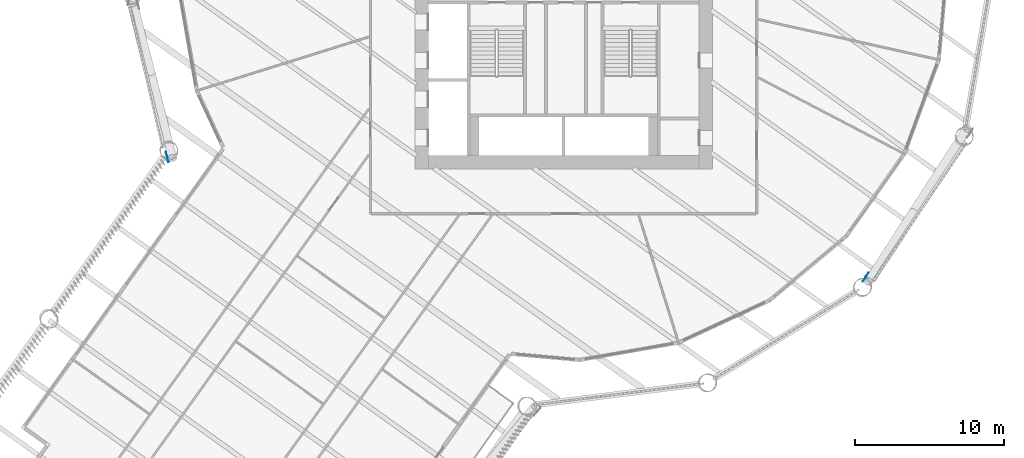
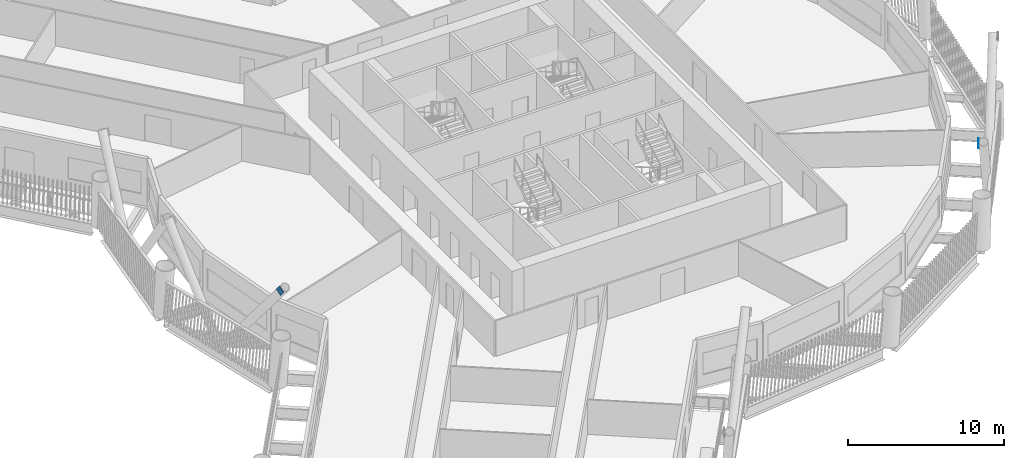
# One storey, part 9 of 21: 2 discrete accessories.
"""IFC4 building model written with IfcOpenShell, lengths in metres."""

import ifcopenshell
import ifcopenshell.guid

model = None  # the IFC model being written
_history = None  # IfcOwnerHistory: only IFC2X3 demands one
_inside = {}  # id of a spatial element -> (the spatial element, [elements in it])
_under = {}  # id of a project, library or spatial element -> (it, [spatial elements below it])
_declared = {}  # id of a project -> (the project, [libraries it declares])
_typed = {}  # id of a type object -> (the type object, [elements of that type])
_made_of = {}  # id of a material, layer set ... -> (it, [elements and type objects made of it])


def new_model(schema):
    """Start an empty IFC model of exactly this schema.

    Asked for "IFC4X3", IfcOpenShell would pick the latest addendum, in which some entities
    have other attributes; the version numbers below select the first issue.
    IFC2X3 requires an IfcOwnerHistory on every rooted entity: one is made here for all.
    """
    global model, _history
    if schema == "IFC4X3":
        model = ifcopenshell.file(schema_version=(4, 3, 0, 0))
    else:
        model = ifcopenshell.file(schema=schema)
    _inside.clear()
    _under.clear()
    _declared.clear()
    _typed.clear()
    _made_of.clear()
    _history = None
    if model.schema == "IFC2X3":
        org = make("IfcOrganization", Name="unknown")
        user = make(
            "IfcPersonAndOrganization",
            ThePerson=make("IfcPerson", FamilyName="unknown"),
            TheOrganization=org,
        )
        app = make(
            "IfcApplication",
            ApplicationDeveloper=org,
            Version="unknown",
            ApplicationFullName="unknown",
            ApplicationIdentifier="unknown",
        )
        _history = make(
            "IfcOwnerHistory",
            OwningUser=user,
            OwningApplication=app,
            ChangeAction="ADDED",
            CreationDate=0,
        )
    return model


def make(cls, **values):
    """One entity of the class cls with the attributes given. An attribute that is None is left unset."""
    return model.create_entity(
        cls, **{name: value for name, value in values.items() if value is not None}
    )


def rooted(cls, **values):
    """An entity with a GlobalId (a new one), such as an element, a storey or a relation."""
    return make(cls, GlobalId=ifcopenshell.guid.new(), OwnerHistory=_history, **values)


def si_unit(unit_type, name, prefix=None):
    """IfcSIUnit, for example si_unit("LENGTHUNIT", "METRE", prefix="MILLI")."""
    return make("IfcSIUnit", UnitType=unit_type, Prefix=prefix, Name=name)


def assignment(units):
    """IfcUnitAssignment: the units of a project."""
    return None if units is None else make("IfcUnitAssignment", Units=units)


def point(xyz):
    """IfcCartesianPoint."""
    return None if xyz is None else make("IfcCartesianPoint", Coordinates=xyz)


def direction(xyz):
    """IfcDirection."""
    return None if xyz is None else make("IfcDirection", DirectionRatios=xyz)


def frame(location, z_axis=None, x_axis=None):
    """IfcAxis2Placement3D, a coordinate frame: its origin and axes. An axis left out is left unset."""
    return make(
        "IfcAxis2Placement3D",
        Location=point(location),
        Axis=direction(z_axis),
        RefDirection=direction(x_axis),
    )


def frame_2d(location, x_axis=None):
    """IfcAxis2Placement2D, a coordinate frame in the plane: its origin and x axis."""
    return make(
        "IfcAxis2Placement2D", Location=point(location), RefDirection=direction(x_axis)
    )


def origin():
    """The frame at (0, 0, 0) with its axes left unset."""
    return frame((0.0, 0.0, 0.0))


def origin_2d():
    """The frame at (0, 0) in the plane with its x axis left unset."""
    return frame_2d((0.0, 0.0))


def place(relative_to, where):
    """IfcLocalPlacement: puts the frame where relative to a parent placement (None: the world)."""
    return make(
        "IfcLocalPlacement", PlacementRelTo=relative_to, RelativePlacement=where
    )


def context(
    kind, dimensions, precision=None, world=None, true_north=None, identifier=None
):
    """IfcGeometricRepresentationContext, for example the 3D "Model" context."""
    return make(
        "IfcGeometricRepresentationContext",
        ContextIdentifier=identifier,
        ContextType=kind,
        CoordinateSpaceDimension=dimensions,
        Precision=precision,
        WorldCoordinateSystem=world,
        TrueNorth=true_north,
    )


def subcontext(parent, identifier, kind, view, scale=None):
    """IfcGeometricRepresentationSubContext, for example "Body" below "Model"."""
    return make(
        "IfcGeometricRepresentationSubContext",
        ContextIdentifier=identifier,
        ContextType=kind,
        ParentContext=parent,
        TargetScale=scale,
        TargetView=view,
    )


def project(units=None, contexts=None):
    """IfcProject with its units and contexts."""
    return rooted(
        "IfcProject",
        Name="project",
        RepresentationContexts=contexts,
        UnitsInContext=assignment(units),
    )


def spatial(cls, under=None, at=None, **own):
    """A site, building, storey or space (cls), placed at a placement, below another one or the project."""
    s = rooted(cls, ObjectPlacement=at, **own)
    if under is not None:
        _under.setdefault(under.id(), (under, []))[1].append(s)
    return s


def profile(cls, at=None, kind="AREA", **sizes):
    """A parametric profile (cls). Its sizes go by their IFC names, for example OverallWidth=200.0."""
    return make(cls, ProfileType=kind, Position=at, **sizes)


def rectangle(**sizes):
    """IfcRectangleProfileDef."""
    return profile("IfcRectangleProfileDef", **sizes)


def extrude(swept, where, along, depth):
    """IfcExtrudedAreaSolid: the profile swept, set in the frame where, extruded along a direction by depth."""
    return make(
        "IfcExtrudedAreaSolid",
        SweptArea=swept,
        Position=where,
        ExtrudedDirection=direction(along),
        Depth=depth,
    )


def shape(context_of_items, identifier, shape_type, items):
    """IfcShapeRepresentation: the items that make up one representation, for example the "Body"."""
    return make(
        "IfcShapeRepresentation",
        ContextOfItems=context_of_items,
        RepresentationIdentifier=identifier,
        RepresentationType=shape_type,
        Items=items,
    )


def material(Name=None, Category=None):
    """IfcMaterial."""
    return make("IfcMaterial", Name=Name, Category=Category)


def material_profile(
    of_material, cross_section, Name=None, Category=None, Priority=None
):
    """IfcMaterialProfile: a cross section and its material."""
    return make(
        "IfcMaterialProfile",
        Name=Name,
        Material=of_material,
        Profile=cross_section,
        Priority=Priority,
        Category=Category,
    )


def profile_set(profiles, Name=None, composite=None):
    """IfcMaterialProfileSet."""
    return make(
        "IfcMaterialProfileSet",
        Name=Name,
        MaterialProfiles=profiles,
        CompositeProfile=composite,
    )


def made_of(thing, what):
    """Note that an element or type object is made of a material, layer set ...; save() writes the relation."""
    if what is not None:
        _made_of.setdefault(what.id(), (what, []))[1].append(thing)
    return thing


def type_object(cls, material=None, **own):
    """A type object (cls), such as IfcWallType, which elements share."""
    return made_of(rooted(cls, **own), material)


def element(
    cls,
    number,
    at=None,
    inside=None,
    cuts=None,
    type_object=None,
    material=None,
    context=None,
    identifier="Body",
    shape_type=None,
    held_by="IfcProductDefinitionShape",
    body=None,
    shapes=None,
    **own,
):
    """One element of the class cls, such as IfcWall. Its Tag is "e" and its number.

    at: its placement. inside: the storey or other place that contains it. cuts: it is an
    opening in that element (IfcRelVoidsElement). A single representation is given by context,
    identifier, shape_type and body (its items); several are given by shapes. held_by: the class
    of the entity that holds the representations. save() writes the other relations.
    """
    e = rooted(cls, Tag="e%d" % number, ObjectPlacement=at, **own)
    if body is not None:
        shapes = [shape(context, identifier, shape_type, body)]
    if shapes is not None:
        e.Representation = make(held_by, Representations=shapes)
    if inside is not None:
        _inside.setdefault(inside.id(), (inside, []))[1].append(e)
    if cuts is not None:
        rooted(
            "IfcRelVoidsElement", RelatingBuildingElement=cuts, RelatedOpeningElement=e
        )
    if type_object is not None:
        _typed.setdefault(type_object.id(), (type_object, []))[1].append(e)
    return made_of(e, material)


def aggregate(whole, parts):
    """IfcRelAggregates: a whole, such as a stair, and the parts it consists of."""
    return rooted("IfcRelAggregates", RelatingObject=whole, RelatedObjects=parts)


def save(model, path):
    """Write the relations noted so far, then the file.

    IfcRelAggregates (storeys below a building ...), IfcRelContainedInSpatialStructure (elements
    in a storey), IfcRelDefinesByType, IfcRelAssociatesMaterial and IfcRelDeclares: one each for
    every whole, place, type object, material and project.
    """
    for whole, parts in _under.values():
        aggregate(whole, parts)
    for where, things in _inside.values():
        rooted(
            "IfcRelContainedInSpatialStructure",
            RelatedElements=things,
            RelatingStructure=where,
        )
    for kind, things in _typed.values():
        rooted("IfcRelDefinesByType", RelatedObjects=things, RelatingType=kind)
    for what, things in _made_of.values():
        rooted("IfcRelAssociatesMaterial", RelatedObjects=things, RelatingMaterial=what)
    for by, libraries in _declared.values():
        rooted("IfcRelDeclares", RelatingContext=by, RelatedDefinitions=libraries)
    model.write(path)


model = new_model("IFC4")

# Units and contexts
model_context = context("Model", 3, precision=1e-05, world=origin(), true_north=direction((0.0, 1.0)))
body_context = subcontext(model_context, "Body", "Model", "MODEL_VIEW")
ifc_project = project(units=[si_unit("LENGTHUNIT", "METRE"), si_unit("AREAUNIT", "SQUARE_METRE"), si_unit("VOLUMEUNIT", "CUBIC_METRE"), si_unit("PLANEANGLEUNIT", "RADIAN"), si_unit("MASSUNIT", "GRAM", prefix="KILO")], contexts=[model_context])

# Site, building, storey
site_placement = place(None, origin())
site = spatial("IfcSite", under=ifc_project, at=site_placement, CompositionType="ELEMENT")
building_placement = place(site_placement, origin())
building = spatial("IfcBuilding", under=site, at=building_placement, Name="Tarsis Ring Headquarters", CompositionType="ELEMENT")
storey_placement = place(building_placement, frame((0.0, 0.0, 47.800048828125)))
storey = spatial("IfcBuildingStorey", under=building, at=storey_placement, Name="L09", CompositionType="ELEMENT", Elevation=47.800048828125)

# Discrete accessories
ifc_material = material(Name="Structural steel S355", Category="steel")
ifc_material_profile = material_profile(ifc_material, rectangle(XDim=0.02490234375, YDim=0.5, at=origin_2d()), Name="PL 25x500")
ifc_profile_set = profile_set([ifc_material_profile], Name="Structural steel S355")
discrete_accessory_type = type_object("IfcDiscreteAccessoryType", Name="Gusset plate Exo brace 25", PredefinedType="BRACKET", material=ifc_profile_set)
for number, where, z_axis, x_axis, name in (
    (1, (-26.640869140625, -12.340576171875, 7.800048828125), (-0.149427939626, 0.589898532903, -0.793530725138), (-0.969382531363, -0.245555508772, 0.0), "Gusset plate GP5"),
    (2, (20.243408203125, -20.398681640625, 7.800048828125), (0.313471854072, 0.48583254642, -0.815905713636), (-0.840271827526, 0.542165339971, 0.0), "Gusset plate GP5"),
):
    element("IfcDiscreteAccessory", number, at=place(storey_placement, frame(where, z_axis=z_axis, x_axis=x_axis)), inside=storey, type_object=discrete_accessory_type, Name=name, PredefinedType="BRACKET", context=body_context, shape_type="SweptSolid", body=[
        extrude(rectangle(XDim=0.02490234375, YDim=0.5, at=origin_2d()), origin(), (0.0, 0.0, 1.0), 0.5),
    ])

save(model, "model.ifc")
